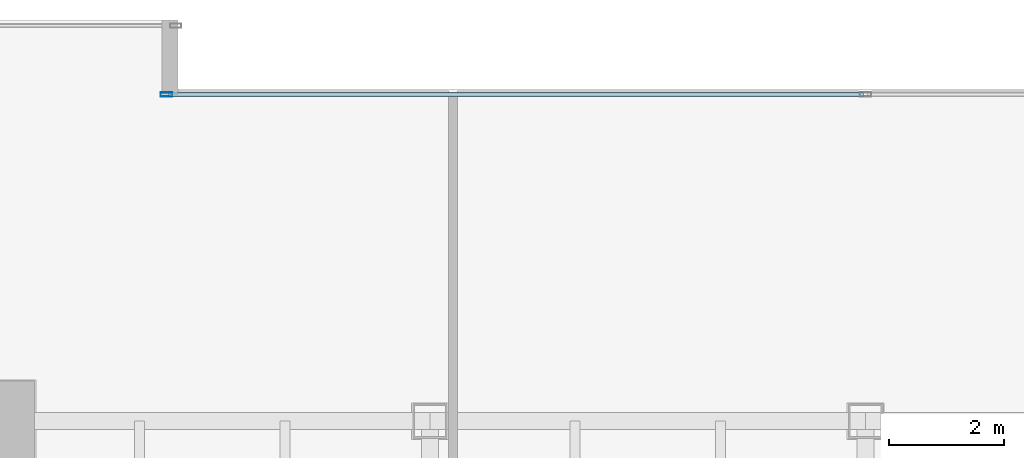
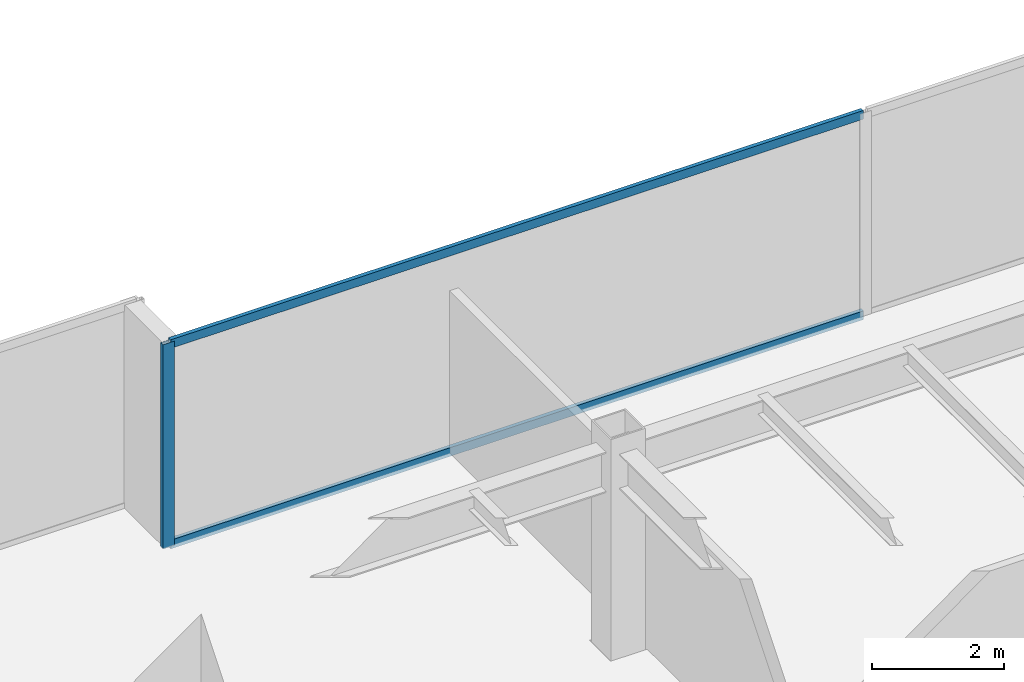
# One storey, part 14 of 37: 3 members, 1 element without a shape of its own.
"""IFC4 building model written with IfcOpenShell, lengths in metres."""

from ifc_helpers import new_model, si_unit, direction, frame, origin, origin_2d, place, context, subcontext, project, spatial, hollow_rectangle, extrude, source, transform, mapped, material, layer, layer_set, material_profile, profile_set, type_object, type_shapes, element, aggregate, save


model = new_model("IFC4")

# Units and contexts
model_context = context("Model", 3, precision=1e-05, world=origin(), true_north=direction((0.0, 1.0)))
body_context = subcontext(model_context, "Body", "Model", "MODEL_VIEW")
ifc_project = project(units=[si_unit("LENGTHUNIT", "METRE"), si_unit("AREAUNIT", "SQUARE_METRE"), si_unit("VOLUMEUNIT", "CUBIC_METRE"), si_unit("PLANEANGLEUNIT", "RADIAN"), si_unit("MASSUNIT", "GRAM", prefix="KILO")], contexts=[model_context])

# Site, building, storey
site_placement = place(None, origin())
site = spatial("IfcSite", under=ifc_project, at=site_placement, CompositionType="ELEMENT")
building_placement = place(site_placement, origin())
building = spatial("IfcBuilding", under=site, at=building_placement, Name="Haelvirn Gate Laboratories", CompositionType="ELEMENT")
storey_placement = place(building_placement, frame((0.0, 0.0, 78.5)))
storey = spatial("IfcBuildingStorey", under=building, at=storey_placement, Name="L19", CompositionType="ELEMENT", Elevation=78.5)

# Curtain wall, members
ifc_material_1 = material(Name="Anodised bronze unitised aluminium & triple low-E glass", Category="aluminium")
ifc_layer = layer(ifc_material_1, 0.18408203125, Name="CW-SYS-2")
ifc_layer_set = layer_set([ifc_layer], Name="Anodised bronze unitised aluminium & triple low-E glass")
curtain_wall_type = type_object("IfcCurtainWallType", Name="CW-SYS-2", PredefinedType="NOTDEFINED", material=ifc_layer_set)
curtain_wall_placement = place(storey_placement, origin())
curtain_wall = element("IfcCurtainWall", 1, at=curtain_wall_placement, inside=storey, type_object=curtain_wall_type, Name="L19 Unitised Curtain Wall CW-L19-P0-E12-1", PredefinedType="NOTDEFINED")
ifc_material_2 = material(Name="Extruded aluminium 6063-T6 (anodised bronze)", Category="aluminium")
ifc_material_profile_1 = material_profile(ifc_material_2, hollow_rectangle(XDim=0.074951171875, YDim=0.199951171875, WallThickness=0.0048828125, at=origin_2d()), Name="CWM-200x75x5")
ifc_profile_set_1 = profile_set([ifc_material_profile_1], Name="Extruded aluminium 6063-T6 (anodised bronze)")
member_type_1 = type_object("IfcMemberType", Name="CWM-T200", PredefinedType="MULLION", material=ifc_profile_set_1)
shared_shape_1 = source(origin(), body_context, "Body", "SweptSolid", [
    extrude(hollow_rectangle(XDim=0.074951171875, YDim=0.199951171875, WallThickness=0.0048828125, at=origin_2d()), origin(), (0.0, 0.0, 1.0), 3.780029296875),
])
type_shapes(member_type_1, [shared_shape_1])
member_1_placement = place(storey_placement, frame((25.197509765625, 47.300048828125, 0.0), z_axis=(0.0, 0.0, 1.0), x_axis=(0.0, 1.0, 0.0)))
member_1 = element("IfcMember", 2, at=member_1_placement, type_object=member_type_1, Name="CW2 mullion 1", PredefinedType="MULLION", context=body_context, shape_type="MappedRepresentation", body=[
    mapped(shared_shape_1, transform((0.0, 0.0, 0.0), scale=1.0)),
])
ifc_material_profile_2 = material_profile(ifc_material_2, hollow_rectangle(XDim=0.070068359375, YDim=0.159912109375, WallThickness=0.0048828125, at=origin_2d()), Name="CWT-160x70x5")
ifc_profile_set_2 = profile_set([ifc_material_profile_2], Name="Extruded aluminium 6063-T6 (anodised bronze)")
member_type_2 = type_object("IfcMemberType", Name="CWT-T160", PredefinedType="USERDEFINED", material=ifc_profile_set_2)
shared_shape_2 = source(origin(), body_context, "Body", "SweptSolid", [
    extrude(hollow_rectangle(XDim=0.070068359375, YDim=0.159912109375, WallThickness=0.0048828125, at=origin_2d()), origin(), (0.0, 0.0, 1.0), 12.12744140625),
])
type_shapes(member_type_2, [shared_shape_2])
member_2_placement = place(storey_placement, frame((25.235107421875, 47.300048828125, 0.034912109375), z_axis=(1.0, 0.0, 0.0), x_axis=(0.0, 1.0, 0.0)))
member_2 = element("IfcMember", 3, at=member_2_placement, type_object=member_type_2, Name="CW2 transom 1.1", ObjectType="TRANSOM", PredefinedType="USERDEFINED", context=body_context, shape_type="MappedRepresentation", body=[
    mapped(shared_shape_2, transform((0.0, 0.0, 0.0), scale=1.0)),
])
member_3_placement = place(storey_placement, frame((25.235107421875, 47.300048828125, 3.7451171875), z_axis=(1.0, 0.0, 0.0), x_axis=(0.0, 1.0, 0.0)))
member_3 = element("IfcMember", 4, at=member_3_placement, type_object=member_type_2, Name="CW2 transom 1.2", ObjectType="TRANSOM", PredefinedType="USERDEFINED", context=body_context, shape_type="MappedRepresentation", body=[
    mapped(shared_shape_2, transform((0.0, 0.0, 0.0), scale=1.0)),
])
aggregate(curtain_wall, [member_1, member_2, member_3])

save(model, "model.ifc")
